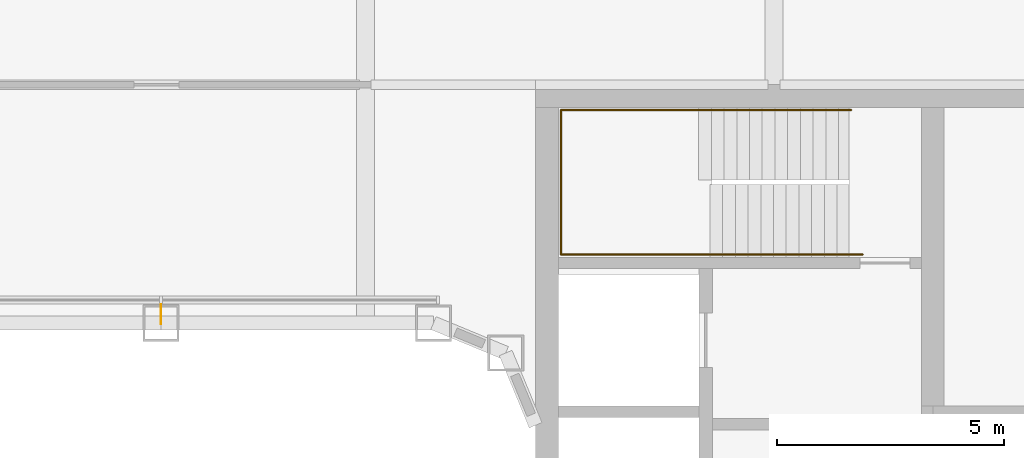
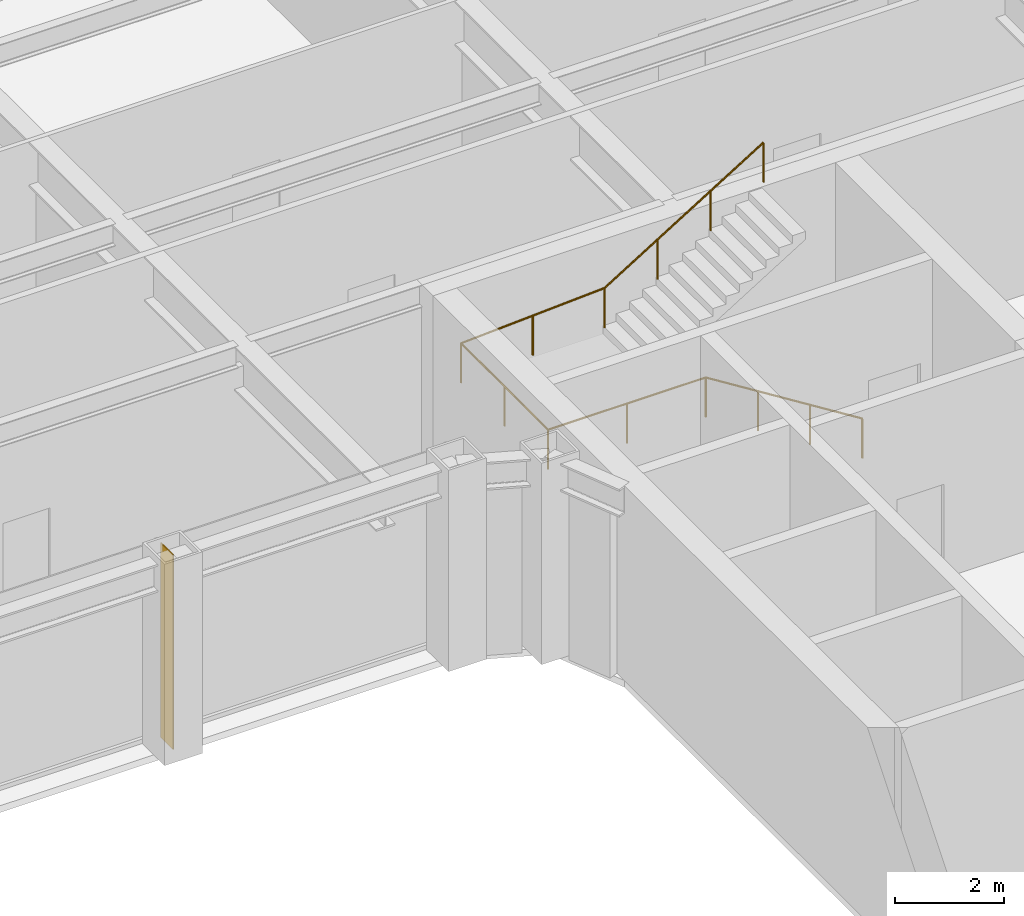
# One storey, part 28 of 30: 1 railing, 1 shading device.
"""IFC4 building model written with IfcOpenShell, lengths in metres."""

from ifc_helpers import new_model, si_unit, direction, frame, origin, origin_2d, place, context, subcontext, project, spatial, rectangle, circle, extrude, material, layer, layer_set, type_object, element, save


model = new_model("IFC4")

# Units and contexts
model_context = context("Model", 3, precision=1e-05, world=origin(), true_north=direction((0.0, 1.0)))
body_context = subcontext(model_context, "Body", "Model", "MODEL_VIEW")
ifc_project = project(units=[si_unit("LENGTHUNIT", "METRE"), si_unit("AREAUNIT", "SQUARE_METRE"), si_unit("VOLUMEUNIT", "CUBIC_METRE"), si_unit("PLANEANGLEUNIT", "RADIAN"), si_unit("MASSUNIT", "GRAM", prefix="KILO")], contexts=[model_context])

# Site, building, storey
site_placement = place(None, origin())
site = spatial("IfcSite", under=ifc_project, at=site_placement, CompositionType="ELEMENT")
building_placement = place(site_placement, origin())
building = spatial("IfcBuilding", under=site, at=building_placement, Name="Siwar Civic Tower", CompositionType="ELEMENT")
storey_placement = place(building_placement, frame((0.0, 0.0, 44.699951171875)))
storey = spatial("IfcBuildingStorey", under=building, at=storey_placement, Name="L09", CompositionType="ELEMENT", Elevation=44.699951171875)

# Railing
ifc_material_1 = material(Name="Stainless steel", Category="steel")
railing_type = type_object("IfcRailingType", Name="CORE-STAIR-HANDRAIL", PredefinedType="HANDRAIL", material=ifc_material_1)
railing_placement = place(storey_placement, frame((15.449951171875, 9.758056640625, 0.173095703125)))
element("IfcRailing", 1, at=railing_placement, inside=storey, type_object=railing_type, Name="Stair handrail ST3", PredefinedType="HANDRAIL", context=body_context, shape_type="SweptSolid", body=[
    extrude(circle(Radius=0.02001953125, at=origin_2d()), frame((0.0, 0.0, 0.8798828125), z_axis=(-0.847063342986, 0.0, 0.531491950051), x_axis=(0.0, -1.0, 0.0)), (0.0, 0.0, 1.0), 3.90771484375),
    extrude(circle(Radius=0.02001953125, at=origin_2d()), frame((-3.31005859375, 0.0, 2.956787109375), z_axis=(-1.0, 0.0, 0.0), x_axis=(0.0, -1.0, 0.0)), (0.0, 0.0, 1.0), 3.331787109375),
    extrude(circle(Radius=0.02001953125, at=origin_2d()), frame((-6.641845703125, 0.0, 2.956787109375), z_axis=(0.0, 1.0, 0.0), x_axis=(-1.0, 0.0, 0.0)), (0.0, 0.0, 1.0), 3.183837890625),
    extrude(circle(Radius=0.02001953125, at=origin_2d()), frame((-6.641845703125, 3.183837890625, 2.956787109375), z_axis=(0.99837434197, 0.0, 0.056997134106), x_axis=(0.0, 1.0, 0.0)), (0.0, 0.0, 1.0), 3.036865234375),
    extrude(circle(Radius=0.02001953125, at=origin_2d()), frame((-3.60986328125, 3.183837890625, 3.1298828125), z_axis=(0.850606129759, 0.0, 0.525803396734), x_axis=(0.0, 1.0, 0.0)), (0.0, 0.0, 1.0), 3.949951171875),
    extrude(circle(Radius=0.02001953125, at=origin_2d()), origin(), (0.0, 0.0, 1.0), 0.85986328125),
    extrude(circle(Radius=0.02001953125, at=origin_2d()), frame((-1.103271484375, 0.0, 0.6923828125)), (0.0, 0.0, 1.0), 0.85986328125),
    extrude(circle(Radius=0.02001953125, at=origin_2d()), frame((-2.206787109375, 0.0, 1.384521484375)), (0.0, 0.0, 1.0), 0.85986328125),
    extrude(circle(Radius=0.02001953125, at=origin_2d()), frame((-3.31005859375, 0.0, 2.076904296875)), (0.0, 0.0, 1.0), 0.85986328125),
    extrude(circle(Radius=0.02001953125, at=origin_2d()), frame((-4.97607421875, 0.0, 2.076904296875)), (0.0, 0.0, 1.0), 0.85986328125),
    extrude(circle(Radius=0.02001953125, at=origin_2d()), frame((-6.641845703125, 0.0, 2.076904296875)), (0.0, 0.0, 1.0), 0.85986328125),
    extrude(circle(Radius=0.02001953125, at=origin_2d()), frame((-6.641845703125, 1.591796875, 2.076904296875)), (0.0, 0.0, 1.0), 0.85986328125),
    extrude(circle(Radius=0.02001953125, at=origin_2d()), frame((-6.641845703125, 3.183837890625, 2.076904296875)), (0.0, 0.0, 1.0), 0.85986328125),
    extrude(circle(Radius=0.02001953125, at=origin_2d()), frame((-5.1259765625, 3.183837890625, 2.16357421875)), (0.0, 0.0, 1.0), 0.85986328125),
    extrude(circle(Radius=0.02001953125, at=origin_2d()), frame((-3.60986328125, 3.183837890625, 2.25)), (0.0, 0.0, 1.0), 0.85986328125),
    extrude(circle(Radius=0.02001953125, at=origin_2d()), frame((-2.489990234375, 3.183837890625, 2.9423828125)), (0.0, 0.0, 1.0), 0.85986328125),
    extrude(circle(Radius=0.02001953125, at=origin_2d()), frame((-1.369873046875, 3.183837890625, 3.634521484375)), (0.0, 0.0, 1.0), 0.85986328125),
    extrude(circle(Radius=0.02001953125, at=origin_2d()), frame((-0.25, 3.183837890625, 4.326904296875)), (0.0, 0.0, 1.0), 0.85986328125),
])

# Shading device
ifc_material_2 = material(Name="Aluminium 6063-T6", Category="aluminium")
ifc_layer = layer(ifc_material_2, 0.02001953125)
ifc_layer_set = layer_set([ifc_layer], Name="Aluminium 6063-T6")
shading_device_type = type_object("IfcShadingDeviceType", Name="ENV-FIN", PredefinedType="JALOUSIE", material=ifc_layer_set)
shading_device_placement = place(storey_placement, frame((0.0, 8.445068359375, 0.0), z_axis=(0.0, 0.0, 1.0), x_axis=(-1.0, 0.0, 0.0)))
element("IfcShadingDevice", 2, at=shading_device_placement, inside=storey, type_object=shading_device_type, Name="SUNSHADE fin WN 1", PredefinedType="JALOUSIE", context=body_context, shape_type="SweptSolid", body=[
    extrude(rectangle(XDim=0.02001953125, YDim=0.449951171875, at=origin_2d()), origin(), (0.0, 0.0, 1.0), 4.35009765625),
])

save(model, "model.ifc")
